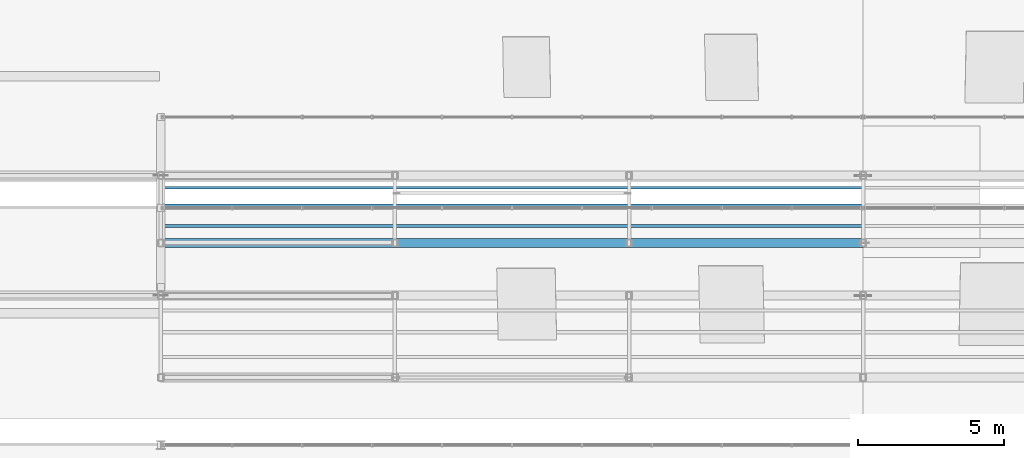
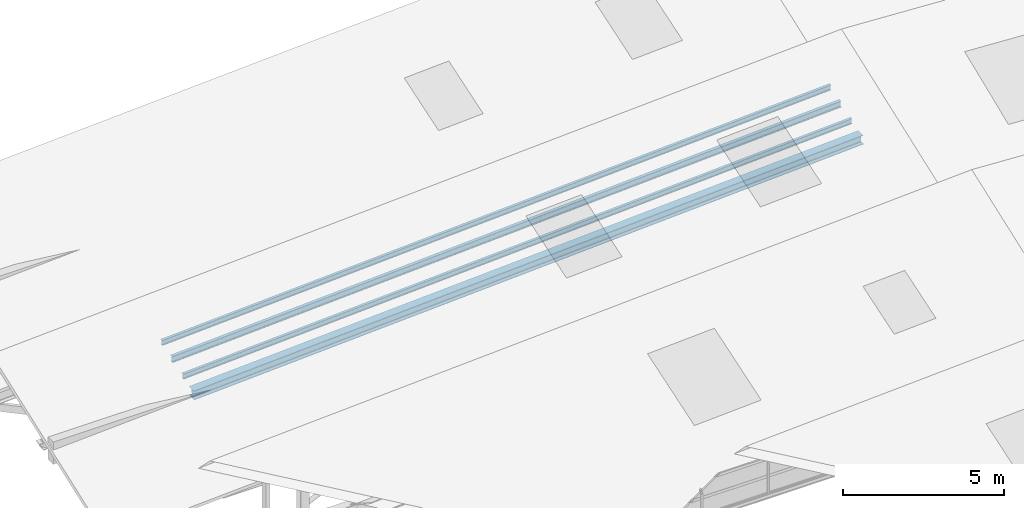
# One storey, part 89 of 141: 4 members.
"""IFC4 building model written with IfcOpenShell, lengths in metres."""

from ifc_helpers import new_model, si_unit, direction, frame, origin, origin_2d, place, context, subcontext, project, spatial, i_section, extrude, material, material_profile, profile_set, type_object, element, save


model = new_model("IFC4")

# Units and contexts
model_context = context("Model", 3, precision=1e-05, world=origin(), true_north=direction((0.0, 1.0)))
body_context = subcontext(model_context, "Body", "Model", "MODEL_VIEW")
ifc_project = project(units=[si_unit("LENGTHUNIT", "METRE"), si_unit("AREAUNIT", "SQUARE_METRE"), si_unit("VOLUMEUNIT", "CUBIC_METRE"), si_unit("PLANEANGLEUNIT", "RADIAN"), si_unit("MASSUNIT", "GRAM", prefix="KILO")], contexts=[model_context])

# Site, building, storey
site_placement = place(None, origin())
site = spatial("IfcSite", under=ifc_project, at=site_placement, CompositionType="ELEMENT")
building_placement = place(site_placement, origin())
building = spatial("IfcBuilding", under=site, at=building_placement, Name="Sundkrona Museum", CompositionType="ELEMENT")
storey_placement = place(building_placement, frame((0.0, 0.0, 34.0)))
storey = spatial("IfcBuildingStorey", under=building, at=storey_placement, Name="RF", CompositionType="ELEMENT", Elevation=34.0)

# Members
ifc_material = material(Name="Steel S355J2", Category="steel")
ifc_material_profile_1 = material_profile(ifc_material, i_section(OverallWidth=0.10009765625, OverallDepth=0.199951171875, WebThickness=0.005615234375, FlangeThickness=0.008544921875, FilletRadius=0.011962890625, at=origin_2d()), Name="IPE 200")
ifc_profile_set_1 = profile_set([ifc_material_profile_1], Name="Steel S355J2")
member_type_1 = type_object("IfcMemberType", Name="PR-IPE200", PredefinedType="PURLIN", material=ifc_profile_set_1)
for number, where, z_axis, x_axis, name in (
    (1, (120.0, 42.074951171875, 2.665283203125), (0.998539934522, 0.0, 0.054018507607), (0.0, 1.0, 0.0), "RFS-1 Sawtooth Blade 7W Roof Purlin 1"),
    (2, (120.0, 43.385986328125, 3.14794921875), (0.998539934522, 0.0, 0.054018507607), (0.0, 1.0, 0.0), "RFS-1 Sawtooth Blade 7W Roof Purlin 3"),
):
    element("IfcMember", number, at=place(storey_placement, frame(where, z_axis=z_axis, x_axis=x_axis)), inside=storey, type_object=member_type_1, Name=name, PredefinedType="PURLIN", context=body_context, shape_type="SweptSolid", body=[
        extrude(i_section(OverallWidth=0.10009765625, OverallDepth=0.199951171875, WebThickness=0.005615234375, FlangeThickness=0.008544921875, FilletRadius=0.011962890625, at=origin_2d()), origin(), (0.0, 0.0, 1.0), 24.03515625),
    ])
ifc_material_profile_2 = material_profile(ifc_material, i_section(OverallWidth=0.1201171875, OverallDepth=0.239990234375, WebThickness=0.006103515625, FlangeThickness=0.009765625, FilletRadius=0.014892578125, at=origin_2d()), Name="IPE 240")
ifc_profile_set_2 = profile_set([ifc_material_profile_2], Name="Steel S355J2")
member_type_2 = type_object("IfcMemberType", Name="PR-IPE240", PredefinedType="PURLIN", material=ifc_profile_set_2)
member_1_placement = place(storey_placement, frame((120.0, 42.764892578125, 2.8994140625), z_axis=(0.998539934522, 0.0, 0.054018507607), x_axis=(0.0, 1.0, 0.0)))
element("IfcMember", 3, at=member_1_placement, inside=storey, type_object=member_type_2, Name="RFS-1 Sawtooth Blade 7W Roof Purlin 2", PredefinedType="PURLIN", context=body_context, shape_type="SweptSolid", body=[
    extrude(i_section(OverallWidth=0.1201171875, OverallDepth=0.239990234375, WebThickness=0.006103515625, FlangeThickness=0.009765625, FilletRadius=0.014892578125, at=origin_2d()), origin(), (0.0, 0.0, 1.0), 24.03515625),
])
ifc_material_profile_3 = material_profile(ifc_material, i_section(OverallWidth=0.300048828125, OverallDepth=0.35009765625, WebThickness=0.010009765625, FlangeThickness=0.017578125, FilletRadius=0.027099609375, at=origin_2d()), Name="HEA 360")
ifc_profile_set_3 = profile_set([ifc_material_profile_3], Name="Steel S355J2")
member_type_3 = type_object("IfcMemberType", Name="TC-HEA360", PredefinedType="CHORD", material=ifc_profile_set_3)
member_2_placement = place(storey_placement, frame((120.0, 41.5, 2.36865234375), z_axis=(0.998539934522, 0.0, 0.054018507607), x_axis=(0.0, 1.0, 0.0)))
element("IfcMember", 4, at=member_2_placement, inside=storey, type_object=member_type_3, Name="RFS-1 Sawtooth Valley Truss 7 West Top Chord", PredefinedType="CHORD", context=body_context, shape_type="SweptSolid", body=[
    extrude(i_section(OverallWidth=0.300048828125, OverallDepth=0.35009765625, WebThickness=0.010009765625, FlangeThickness=0.017578125, FilletRadius=0.027099609375, at=origin_2d()), origin(), (0.0, 0.0, 1.0), 24.03515625),
])

save(model, "model.ifc")
